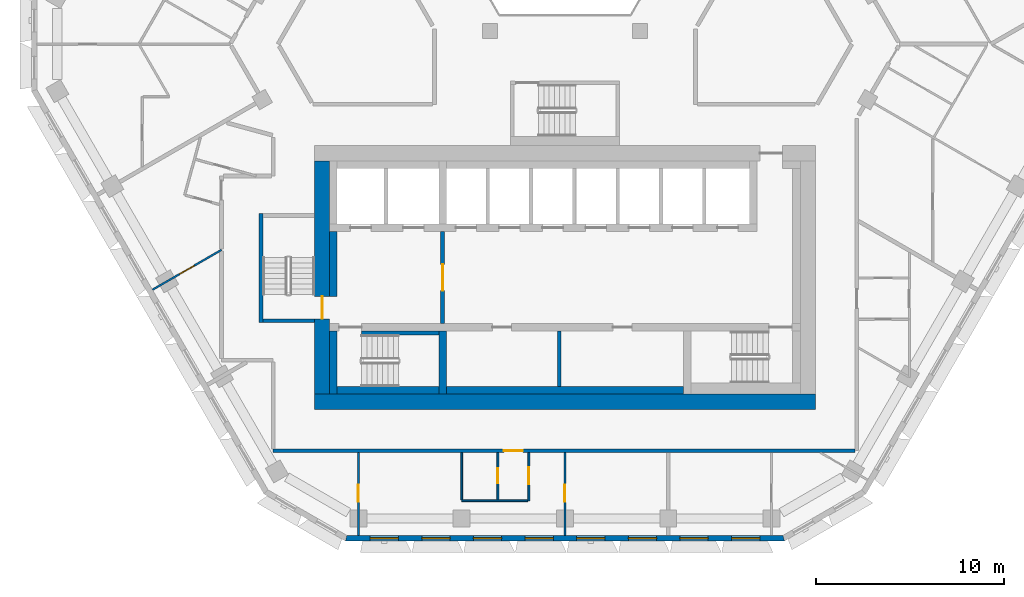
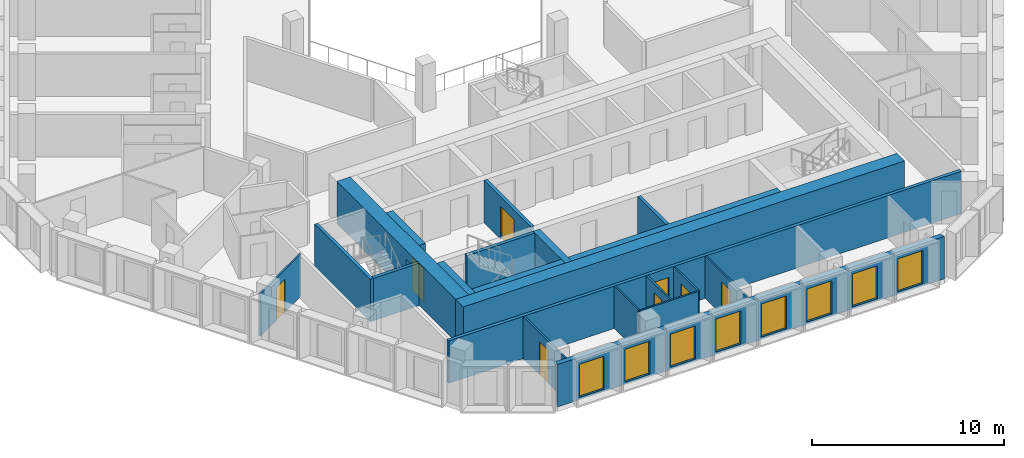
# One storey, part 3 of 17: 21 walls, 8 doors, 8 windows, 16 openings.
"""IFC4 building model written with IfcOpenShell, lengths in metres."""

from ifc_helpers import new_model, si_unit, direction, frame, frame_2d, origin, place, context, subcontext, project, spatial, polyline, rectangle, outline, extrude, material, layer, layer_set, type_object, element, fill, save


model = new_model("IFC4")

# Units and contexts
model_context = context("Model", 3, precision=1e-05, world=origin(), true_north=direction((0.0, 1.0)))
body_context = subcontext(model_context, "Body", "Model", "MODEL_VIEW")
ifc_project = project(units=[si_unit("LENGTHUNIT", "METRE"), si_unit("AREAUNIT", "SQUARE_METRE"), si_unit("VOLUMEUNIT", "CUBIC_METRE"), si_unit("PLANEANGLEUNIT", "RADIAN"), si_unit("MASSUNIT", "GRAM", prefix="KILO")], contexts=[model_context])

# Site, building, storey
site_placement = place(None, origin())
site = spatial("IfcSite", under=ifc_project, at=site_placement, CompositionType="ELEMENT")
building_placement = place(site_placement, origin())
building = spatial("IfcBuilding", under=site, at=building_placement, Name="Beryl Residences", CompositionType="ELEMENT")
storey_placement = place(building_placement, frame((0.0, 0.0, 120.60009765625)))
storey = spatial("IfcBuildingStorey", under=building, at=storey_placement, Name="L36", CompositionType="ELEMENT", Elevation=120.60009765625)

# Wall, openings, windows
ifc_material_1 = material(Name="Composite metal panel with mineral wool insulation")
ifc_layer_1 = layer(ifc_material_1, 0.300048828125)
ifc_layer_set_1 = layer_set([ifc_layer_1], Name="ES1 pale metal composite panel wall 300 mm")
wall_type_1 = type_object("IfcWallType", Name="ES1 pale metal composite panel wall 300 mm", PredefinedType="SOLIDWALL", material=ifc_layer_set_1)
wall_1_placement = place(storey_placement, frame((-11.662109375, -25.85009765625, 0.0), z_axis=(0.0, 0.0, 1.0), x_axis=(1.0, 0.0, 0.0)))
wall_1 = element("IfcWall", 1, at=wall_1_placement, inside=storey, type_object=wall_type_1, Name="ES1 external wall L36 S", PredefinedType="SOLIDWALL", context=body_context, shape_type="SweptSolid", body=[
    extrude(outline(polyline([(0.0, -0.14990234375), (23.32421875, -0.14990234375), (23.243896484375, 0.14990234375), (0.080322265625, 0.14990234375), (0.0, -0.14990234375)])), origin(), (0.0, 0.0, 1.0), 2.699951171875),
])
opening_1_placement = place(wall_1_placement, frame((1.31396484375, 0.0, 0.14990234375)))
opening_1 = element("IfcOpeningElement", 2, at=opening_1_placement, cuts=wall_1, Name="Opening W1", PredefinedType="OPENING", context=body_context, shape_type="SweptSolid", body=[
    extrude(rectangle(XDim=1.5, YDim=2.10009765625, at=frame_2d((0.75, 1.050048828125))), frame((0.0, 0.159912109375, 0.0), z_axis=(0.0, -1.0, 0.0), x_axis=(1.0, 0.0, 0.0)), (0.0, 0.0, 1.0), 0.320068359375),
])
opening_2_placement = place(wall_1_placement, frame((4.056884765625, 0.0, 0.14990234375)))
opening_2 = element("IfcOpeningElement", 3, at=opening_2_placement, cuts=wall_1, Name="Opening W1", PredefinedType="OPENING", context=body_context, shape_type="SweptSolid", body=[
    extrude(rectangle(XDim=1.5, YDim=2.10009765625, at=frame_2d((0.75, 1.050048828125))), frame((0.0, 0.159912109375, 0.0), z_axis=(0.0, -1.0, 0.0), x_axis=(1.0, 0.0, 0.0)), (0.0, 0.0, 1.0), 0.320068359375),
])
opening_3_placement = place(wall_1_placement, frame((6.799072265625, 0.0, 0.14990234375)))
opening_3 = element("IfcOpeningElement", 4, at=opening_3_placement, cuts=wall_1, Name="Opening W1", PredefinedType="OPENING", context=body_context, shape_type="SweptSolid", body=[
    extrude(rectangle(XDim=1.5, YDim=2.10009765625, at=frame_2d((0.75, 1.050048828125))), frame((0.0, 0.159912109375, 0.0), z_axis=(0.0, -1.0, 0.0), x_axis=(1.0, 0.0, 0.0)), (0.0, 0.0, 1.0), 0.320068359375),
])
opening_4_placement = place(wall_1_placement, frame((9.5419921875, 0.0, 0.14990234375)))
opening_4 = element("IfcOpeningElement", 5, at=opening_4_placement, cuts=wall_1, Name="Opening W1", PredefinedType="OPENING", context=body_context, shape_type="SweptSolid", body=[
    extrude(rectangle(XDim=1.5, YDim=2.10009765625, at=frame_2d((0.75, 1.050048828125))), frame((0.0, 0.159912109375, 0.0), z_axis=(0.0, -1.0, 0.0), x_axis=(1.0, 0.0, 0.0)), (0.0, 0.0, 1.0), 0.320068359375),
])
opening_5_placement = place(wall_1_placement, frame((12.283935546875, 0.0, 0.14990234375)))
opening_5 = element("IfcOpeningElement", 6, at=opening_5_placement, cuts=wall_1, Name="Opening W1", PredefinedType="OPENING", context=body_context, shape_type="SweptSolid", body=[
    extrude(rectangle(XDim=1.5, YDim=2.10009765625, at=frame_2d((0.75, 1.050048828125))), frame((0.0, 0.159912109375, 0.0), z_axis=(0.0, -1.0, 0.0), x_axis=(1.0, 0.0, 0.0)), (0.0, 0.0, 1.0), 0.320068359375),
])
opening_6_placement = place(wall_1_placement, frame((15.027099609375, 0.0, 0.14990234375)))
opening_6 = element("IfcOpeningElement", 7, at=opening_6_placement, cuts=wall_1, Name="Opening W1", PredefinedType="OPENING", context=body_context, shape_type="SweptSolid", body=[
    extrude(rectangle(XDim=1.5, YDim=2.10009765625, at=frame_2d((0.75, 1.050048828125))), frame((0.0, 0.159912109375, 0.0), z_axis=(0.0, -1.0, 0.0), x_axis=(1.0, 0.0, 0.0)), (0.0, 0.0, 1.0), 0.320068359375),
])
opening_7_placement = place(wall_1_placement, frame((17.76904296875, 0.0, 0.14990234375)))
opening_7 = element("IfcOpeningElement", 8, at=opening_7_placement, cuts=wall_1, Name="Opening W1", PredefinedType="OPENING", context=body_context, shape_type="SweptSolid", body=[
    extrude(rectangle(XDim=1.5, YDim=2.10009765625, at=frame_2d((0.75, 1.050048828125))), frame((0.0, 0.159912109375, 0.0), z_axis=(0.0, -1.0, 0.0), x_axis=(1.0, 0.0, 0.0)), (0.0, 0.0, 1.0), 0.320068359375),
])
opening_8_placement = place(wall_1_placement, frame((20.511962890625, 0.0, 0.14990234375)))
opening_8 = element("IfcOpeningElement", 9, at=opening_8_placement, cuts=wall_1, Name="Opening W1", PredefinedType="OPENING", context=body_context, shape_type="SweptSolid", body=[
    extrude(rectangle(XDim=1.5, YDim=2.10009765625, at=frame_2d((0.75, 1.050048828125))), frame((0.0, 0.159912109375, 0.0), z_axis=(0.0, -1.0, 0.0), x_axis=(1.0, 0.0, 0.0)), (0.0, 0.0, 1.0), 0.320068359375),
])
ifc_material_2 = material(Name="Aluminium and clear glass", Category="aluminium")
window_type = type_object("IfcWindowType", Name="W1 cell window 1500 x 2100 mm", PartitioningType="SINGLE_PANEL", PredefinedType="WINDOW", material=ifc_material_2)
window_1_placement = place(opening_1_placement, origin())
window_1 = element("IfcWindow", 10, at=window_1_placement, inside=storey, type_object=window_type, Name="W1 window L36 S 1", OverallHeight=2.10009765625, OverallWidth=1.5, PartitioningType="SINGLE_PANEL", PredefinedType="WINDOW", context=body_context, shape_type="SweptSolid", body=[
    extrude(rectangle(XDim=1.5, YDim=2.10009765625, at=frame_2d((0.75, 1.050048828125))), frame((0.0, 0.030029296875, 0.0), z_axis=(0.0, -1.0, 0.0), x_axis=(1.0, 0.0, 0.0)), (0.0, 0.0, 1.0), 0.06005859375),
])
fill(opening_1, window_1)
window_2_placement = place(opening_2_placement, origin())
window_2 = element("IfcWindow", 11, at=window_2_placement, inside=storey, type_object=window_type, Name="W1 window L36 S 2", OverallHeight=2.10009765625, OverallWidth=1.5, PartitioningType="SINGLE_PANEL", PredefinedType="WINDOW", context=body_context, shape_type="SweptSolid", body=[
    extrude(rectangle(XDim=1.5, YDim=2.10009765625, at=frame_2d((0.75, 1.050048828125))), frame((0.0, 0.030029296875, 0.0), z_axis=(0.0, -1.0, 0.0), x_axis=(1.0, 0.0, 0.0)), (0.0, 0.0, 1.0), 0.06005859375),
])
fill(opening_2, window_2)
window_3_placement = place(opening_3_placement, origin())
window_3 = element("IfcWindow", 12, at=window_3_placement, inside=storey, type_object=window_type, Name="W1 window L36 S 3", OverallHeight=2.10009765625, OverallWidth=1.5, PartitioningType="SINGLE_PANEL", PredefinedType="WINDOW", context=body_context, shape_type="SweptSolid", body=[
    extrude(rectangle(XDim=1.5, YDim=2.10009765625, at=frame_2d((0.75, 1.050048828125))), frame((0.0, 0.030029296875, 0.0), z_axis=(0.0, -1.0, 0.0), x_axis=(1.0, 0.0, 0.0)), (0.0, 0.0, 1.0), 0.06005859375),
])
fill(opening_3, window_3)
window_4_placement = place(opening_4_placement, origin())
window_4 = element("IfcWindow", 13, at=window_4_placement, inside=storey, type_object=window_type, Name="W1 window L36 S 4", OverallHeight=2.10009765625, OverallWidth=1.5, PartitioningType="SINGLE_PANEL", PredefinedType="WINDOW", context=body_context, shape_type="SweptSolid", body=[
    extrude(rectangle(XDim=1.5, YDim=2.10009765625, at=frame_2d((0.75, 1.050048828125))), frame((0.0, 0.030029296875, 0.0), z_axis=(0.0, -1.0, 0.0), x_axis=(1.0, 0.0, 0.0)), (0.0, 0.0, 1.0), 0.06005859375),
])
fill(opening_4, window_4)
window_5_placement = place(opening_5_placement, origin())
window_5 = element("IfcWindow", 14, at=window_5_placement, inside=storey, type_object=window_type, Name="W1 window L36 S 5", OverallHeight=2.10009765625, OverallWidth=1.5, PartitioningType="SINGLE_PANEL", PredefinedType="WINDOW", context=body_context, shape_type="SweptSolid", body=[
    extrude(rectangle(XDim=1.5, YDim=2.10009765625, at=frame_2d((0.75, 1.050048828125))), frame((0.0, 0.030029296875, 0.0), z_axis=(0.0, -1.0, 0.0), x_axis=(1.0, 0.0, 0.0)), (0.0, 0.0, 1.0), 0.06005859375),
])
fill(opening_5, window_5)
window_6_placement = place(opening_6_placement, origin())
window_6 = element("IfcWindow", 15, at=window_6_placement, inside=storey, type_object=window_type, Name="W1 window L36 S 6", OverallHeight=2.10009765625, OverallWidth=1.5, PartitioningType="SINGLE_PANEL", PredefinedType="WINDOW", context=body_context, shape_type="SweptSolid", body=[
    extrude(rectangle(XDim=1.5, YDim=2.10009765625, at=frame_2d((0.75, 1.050048828125))), frame((0.0, 0.030029296875, 0.0), z_axis=(0.0, -1.0, 0.0), x_axis=(1.0, 0.0, 0.0)), (0.0, 0.0, 1.0), 0.06005859375),
])
fill(opening_6, window_6)
window_7_placement = place(opening_7_placement, origin())
window_7 = element("IfcWindow", 16, at=window_7_placement, inside=storey, type_object=window_type, Name="W1 window L36 S 7", OverallHeight=2.10009765625, OverallWidth=1.5, PartitioningType="SINGLE_PANEL", PredefinedType="WINDOW", context=body_context, shape_type="SweptSolid", body=[
    extrude(rectangle(XDim=1.5, YDim=2.10009765625, at=frame_2d((0.75, 1.050048828125))), frame((0.0, 0.030029296875, 0.0), z_axis=(0.0, -1.0, 0.0), x_axis=(1.0, 0.0, 0.0)), (0.0, 0.0, 1.0), 0.06005859375),
])
fill(opening_7, window_7)
window_8_placement = place(opening_8_placement, origin())
window_8 = element("IfcWindow", 17, at=window_8_placement, inside=storey, type_object=window_type, Name="W1 window L36 S 8", OverallHeight=2.10009765625, OverallWidth=1.5, PartitioningType="SINGLE_PANEL", PredefinedType="WINDOW", context=body_context, shape_type="SweptSolid", body=[
    extrude(rectangle(XDim=1.5, YDim=2.10009765625, at=frame_2d((0.75, 1.050048828125))), frame((0.0, 0.030029296875, 0.0), z_axis=(0.0, -1.0, 0.0), x_axis=(1.0, 0.0, 0.0)), (0.0, 0.0, 1.0), 0.06005859375),
])
fill(opening_8, window_8)

# Wall
ifc_material_3 = material(Name="Gypsum board partition on steel studs", Category="steel")
ifc_layer_2 = layer(ifc_material_3, 0.10009765625)
ifc_layer_set_2 = layer_set([ifc_layer_2], Name="PT1 partition 100 mm gypsum board on steel studs")
wall_type_2 = type_object("IfcWallType", Name="PT1 partition 100 mm gypsum board on steel studs", PredefinedType="PARTITIONING", material=ifc_layer_set_2)
wall_2_placement = place(storey_placement, frame((-5.48388671875, -21.300048828125, 0.0), z_axis=(0.0, 0.0, 1.0), x_axis=(0.0, -1.0, 0.0)))
element("IfcWall", 18, at=wall_2_placement, inside=storey, type_object=wall_type_2, Name="Wall PT1 L36 006", PredefinedType="PARTITIONING", context=body_context, shape_type="SweptSolid", body=[
    extrude(rectangle(XDim=2.509033203125, YDim=0.10009765625, at=frame_2d((1.25439453125, 0.0))), origin(), (0.0, 0.0, 1.0), 2.699951171875),
])

# Wall, opening, door
wall_3_placement = place(storey_placement, frame((0.0009765625, -21.300048828125, 0.0), z_axis=(0.0, 0.0, 1.0), x_axis=(0.0, -1.0, 0.0)))
wall_3 = element("IfcWall", 19, at=wall_3_placement, inside=storey, type_object=wall_type_2, Name="Wall PT1 L36 007", PredefinedType="PARTITIONING", context=body_context, shape_type="SweptSolid", body=[
    extrude(rectangle(XDim=4.39990234375, YDim=0.10009765625, at=frame_2d((2.199951171875, 0.0))), origin(), (0.0, 0.0, 1.0), 2.699951171875),
])
opening_9_placement = place(wall_3_placement, frame((1.699951171875, 0.0, 0.0)))
opening_9 = element("IfcOpeningElement", 20, at=opening_9_placement, cuts=wall_3, Name="Opening D1035", PredefinedType="OPENING", context=body_context, shape_type="SweptSolid", body=[
    extrude(rectangle(XDim=0.89990234375, YDim=2.10009765625, at=frame_2d((0.449951171875, 1.050048828125))), frame((0.0, 0.06005859375, 0.0), z_axis=(0.0, -1.0, 0.0), x_axis=(1.0, 0.0, 0.0)), (0.0, 0.0, 1.0), 0.1201171875),
])
ifc_material_4 = material(Name="Timber door leaf", Category="wood")
door_type_1 = type_object("IfcDoorType", Name="D2 room door 900 x 2100 mm", OperationType="SINGLE_SWING_LEFT", PredefinedType="DOOR", material=ifc_material_4)
door_1_placement = place(opening_9_placement, origin())
door_1 = element("IfcDoor", 21, at=door_1_placement, inside=storey, type_object=door_type_1, Name="Door D1035 L36 001", OperationType="SINGLE_SWING_LEFT", OverallHeight=2.10009765625, OverallWidth=0.89990234375, PredefinedType="DOOR", context=body_context, shape_type="SweptSolid", body=[
    extrude(rectangle(XDim=0.89990234375, YDim=2.10009765625, at=frame_2d((0.449951171875, 1.050048828125))), frame((0.0, 0.02490234375, 0.0), z_axis=(0.0, -1.0, 0.0), x_axis=(1.0, 0.0, 0.0)), (0.0, 0.0, 1.0), 0.050048828125),
])
fill(opening_9, door_1)

# Wall
wall_4_placement = place(storey_placement, frame((-5.48291015625, -23.860107421875, 0.0), z_axis=(0.0, 0.0, 1.0), x_axis=(1.0, 0.0, 0.0)))
element("IfcWall", 22, at=wall_4_placement, inside=storey, type_object=wall_type_2, Name="Wall PT1 L36 024", PredefinedType="PARTITIONING", context=body_context, shape_type="SweptSolid", body=[
    extrude(rectangle(XDim=3.512939453125, YDim=0.10009765625, at=frame_2d((1.75634765625, 0.0))), origin(), (0.0, 0.0, 1.0), 2.699951171875),
])

# Wall, opening, door
wall_5_placement = place(storey_placement, frame((-3.56396484375, -23.81005859375, 0.0), z_axis=(0.0, 0.0, 1.0), x_axis=(0.0, 1.0, 0.0)))
wall_5 = element("IfcWall", 23, at=wall_5_placement, inside=storey, type_object=wall_type_2, Name="Wall PT1 L36 045", PredefinedType="PARTITIONING", context=body_context, shape_type="SweptSolid", body=[
    extrude(rectangle(XDim=2.510009765625, YDim=0.10009765625, at=frame_2d((1.2548828125, 0.0))), origin(), (0.0, 0.0, 1.0), 2.699951171875),
])
opening_10_placement = place(wall_5_placement, frame((0.8798828125, 0.0, 0.0)))
opening_10 = element("IfcOpeningElement", 24, at=opening_10_placement, cuts=wall_5, Name="Opening D1033", PredefinedType="OPENING", context=body_context, shape_type="SweptSolid", body=[
    extrude(rectangle(XDim=0.800048828125, YDim=2.10009765625, at=frame_2d((0.39990234375, 1.050048828125))), frame((0.0, 0.06005859375, 0.0), z_axis=(0.0, -1.0, 0.0), x_axis=(1.0, 0.0, 0.0)), (0.0, 0.0, 1.0), 0.1201171875),
])
ifc_material_5 = material(Name="Timber door leaf", Category="wood")
door_type_2 = type_object("IfcDoorType", Name="D3 bathroom door 800 x 2100 mm", OperationType="SINGLE_SWING_LEFT", PredefinedType="DOOR", material=ifc_material_5)
door_2_placement = place(opening_10_placement, origin())
door_2 = element("IfcDoor", 25, at=door_2_placement, inside=storey, type_object=door_type_2, Name="Door D1033 L36 001", OperationType="SINGLE_SWING_LEFT", OverallHeight=2.10009765625, OverallWidth=0.800048828125, PredefinedType="DOOR", context=body_context, shape_type="SweptSolid", body=[
    extrude(rectangle(XDim=0.800048828125, YDim=2.10009765625, at=frame_2d((0.39990234375, 1.050048828125))), frame((0.0, 0.02490234375, 0.0), z_axis=(0.0, -1.0, 0.0), x_axis=(1.0, 0.0, 0.0)), (0.0, 0.0, 1.0), 0.050048828125),
])
fill(opening_10, door_2)

wall_6_placement = place(storey_placement, frame((-10.968994140625, -25.699951171875, 0.0), z_axis=(0.0, 0.0, 1.0), x_axis=(0.0, 1.0, 0.0)))
wall_6 = element("IfcWall", 26, at=wall_6_placement, inside=storey, type_object=wall_type_2, Name="Wall PT1 L36 047", PredefinedType="PARTITIONING", context=body_context, shape_type="SweptSolid", body=[
    extrude(rectangle(XDim=4.39990234375, YDim=0.10009765625, at=frame_2d((2.199951171875, 0.0))), origin(), (0.0, 0.0, 1.0), 2.699951171875),
])
opening_11_placement = place(wall_6_placement, frame((1.800048828125, 0.0, 0.0)))
opening_11 = element("IfcOpeningElement", 27, at=opening_11_placement, cuts=wall_6, Name="Opening D1034", PredefinedType="OPENING", context=body_context, shape_type="SweptSolid", body=[
    extrude(rectangle(XDim=0.89990234375, YDim=2.10009765625, at=frame_2d((0.449951171875, 1.050048828125))), frame((0.0, 0.06005859375, 0.0), z_axis=(0.0, -1.0, 0.0), x_axis=(1.0, 0.0, 0.0)), (0.0, 0.0, 1.0), 0.1201171875),
])
door_3_placement = place(opening_11_placement, origin())
door_3 = element("IfcDoor", 28, at=door_3_placement, inside=storey, type_object=door_type_1, Name="Door D1034 L36 001", OperationType="SINGLE_SWING_RIGHT", OverallHeight=2.10009765625, OverallWidth=0.89990234375, PredefinedType="DOOR", context=body_context, shape_type="SweptSolid", body=[
    extrude(rectangle(XDim=0.89990234375, YDim=2.10009765625, at=frame_2d((0.449951171875, 1.050048828125))), frame((0.0, 0.02490234375, 0.0), z_axis=(0.0, -1.0, 0.0), x_axis=(1.0, 0.0, 0.0)), (0.0, 0.0, 1.0), 0.050048828125),
])
fill(opening_11, door_3)

wall_7_placement = place(storey_placement, frame((-1.9189453125, -23.85888671875, 0.0), z_axis=(0.0, 0.0, 1.0), x_axis=(0.0, 1.0, 0.0)))
wall_7 = element("IfcWall", 29, at=wall_7_placement, inside=storey, type_object=wall_type_2, Name="Wall PT1 L36 048", PredefinedType="PARTITIONING", context=body_context, shape_type="SweptSolid", body=[
    extrude(rectangle(XDim=2.558837890625, YDim=0.10009765625, at=frame_2d((1.279296875, 0.0))), origin(), (0.0, 0.0, 1.0), 2.699951171875),
])
opening_12_placement = place(wall_7_placement, frame((0.87890625, 0.0, 0.0)))
opening_12 = element("IfcOpeningElement", 30, at=opening_12_placement, cuts=wall_7, Name="Opening D1032", PredefinedType="OPENING", context=body_context, shape_type="SweptSolid", body=[
    extrude(rectangle(XDim=0.89990234375, YDim=2.10009765625, at=frame_2d((0.449951171875, 1.050048828125))), frame((0.0, 0.06005859375, 0.0), z_axis=(0.0, -1.0, 0.0), x_axis=(1.0, 0.0, 0.0)), (0.0, 0.0, 1.0), 0.1201171875),
])
door_4_placement = place(opening_12_placement, origin())
door_4 = element("IfcDoor", 31, at=door_4_placement, inside=storey, type_object=door_type_1, Name="Door D1032 L36 001", OperationType="SINGLE_SWING_RIGHT", OverallHeight=2.10009765625, OverallWidth=0.89990234375, PredefinedType="DOOR", context=body_context, shape_type="SweptSolid", body=[
    extrude(rectangle(XDim=0.89990234375, YDim=2.10009765625, at=frame_2d((0.449951171875, 1.050048828125))), frame((0.0, 0.02490234375, 0.0), z_axis=(0.0, -1.0, 0.0), x_axis=(1.0, 0.0, 0.0)), (0.0, 0.0, 1.0), 0.050048828125),
])
fill(opening_12, door_4)

wall_8_placement = place(storey_placement, frame((-21.910888671875, -12.64892578125, 0.0), z_axis=(0.0, 0.0, 1.0), x_axis=(0.865984571374, 0.500070717141, 0.0)))
wall_8 = element("IfcWall", 32, at=wall_8_placement, inside=storey, type_object=wall_type_2, Name="Wall PT1 L36 051", PredefinedType="PARTITIONING", context=body_context, shape_type="SweptSolid", body=[
    extrude(rectangle(XDim=4.2275390625, YDim=0.10009765625, at=frame_2d((2.11376953125, 0.0))), origin(), (0.0, 0.0, 1.0), 2.699951171875),
])
opening_13_placement = place(wall_8_placement, frame((1.6630859375, 0.0, 0.0)))
opening_13 = element("IfcOpeningElement", 33, at=opening_13_placement, cuts=wall_8, Name="Opening D1030", PredefinedType="OPENING", context=body_context, shape_type="SweptSolid", body=[
    extrude(rectangle(XDim=0.89990234375, YDim=2.10009765625, at=frame_2d((0.449951171875, 1.050048828125))), frame((0.0, 0.06005859375, 0.0), z_axis=(0.0, -1.0, 0.0), x_axis=(1.0, 0.0, 0.0)), (0.0, 0.0, 1.0), 0.1201171875),
])
door_5_placement = place(opening_13_placement, origin())
door_5 = element("IfcDoor", 34, at=door_5_placement, inside=storey, type_object=door_type_1, Name="Door D1030 L36 001", OperationType="SINGLE_SWING_RIGHT", OverallHeight=2.10009765625, OverallWidth=0.89990234375, PredefinedType="DOOR", context=body_context, shape_type="SweptSolid", body=[
    extrude(rectangle(XDim=0.89990234375, YDim=2.10009765625, at=frame_2d((0.449951171875, 1.050048828125))), frame((0.0, 0.02490234375, 0.0), z_axis=(0.0, -1.0, 0.0), x_axis=(1.0, 0.0, 0.0)), (0.0, 0.0, 1.0), 0.050048828125),
])
fill(opening_13, door_5)

ifc_material_6 = material(Name="Concrete masonry", Category="masonry")
ifc_layer_3 = layer(ifc_material_6, 0.199951171875)
ifc_layer_set_3 = layer_set([ifc_layer_3], Name="PT13 lobby wall 200 mm")
wall_type_3 = type_object("IfcWallType", Name="PT13 lobby wall 200 mm", PredefinedType="PARTITIONING", material=ifc_layer_set_3)
wall_9_placement = place(storey_placement, frame((-6.5, -14.449951171875, 0.0), z_axis=(0.0, 0.0, 1.0), x_axis=(0.0, 1.0, 0.0)))
wall_9 = element("IfcWall", 35, at=wall_9_placement, inside=storey, type_object=wall_type_3, Name="Lobby wall 11", PredefinedType="PARTITIONING", context=body_context, shape_type="SweptSolid", body=[
    extrude(rectangle(XDim=4.89990234375, YDim=0.199951171875, at=frame_2d((2.449951171875, 0.0))), origin(), (0.0, 0.0, 1.0), 2.699951171875),
])
opening_14_placement = place(wall_9_placement, frame((3.14990234375, 0.0, 0.0), z_axis=(0.0, 0.0, 1.0), x_axis=(-1.0, 0.0, 0.0)))
opening_14 = element("IfcOpeningElement", 36, at=opening_14_placement, cuts=wall_9, Name="Opening FD-FFL", PredefinedType="OPENING", context=body_context, shape_type="SweptSolid", body=[
    extrude(rectangle(XDim=1.39990234375, YDim=2.10009765625, at=frame_2d((0.699951171875, 1.050048828125))), frame((0.0, 0.10986328125, 0.0), z_axis=(0.0, -1.0, 0.0), x_axis=(1.0, 0.0, 0.0)), (0.0, 0.0, 1.0), 0.219970703125),
])
ifc_material_7 = material(Name="Steel door leaf in steel frame", Category="steel")
door_type_3 = type_object("IfcDoorType", Name="D5 lobby door 1400 x 2100 mm", OperationType="DOUBLE_DOOR_SINGLE_SWING", PredefinedType="DOOR", material=ifc_material_7)
door_6_placement = place(opening_14_placement, origin())
door_6 = element("IfcDoor", 37, at=door_6_placement, inside=storey, type_object=door_type_3, Name="Door FD-FFL L36 001", OperationType="DOUBLE_DOOR_SINGLE_SWING", OverallHeight=2.10009765625, OverallWidth=1.39990234375, PredefinedType="DOOR", context=body_context, shape_type="SweptSolid", body=[
    extrude(rectangle(XDim=1.39990234375, YDim=2.10009765625, at=frame_2d((0.699951171875, 1.050048828125))), frame((0.0, 0.02490234375, 0.0), z_axis=(0.0, -1.0, 0.0), x_axis=(1.0, 0.0, 0.0)), (0.0, 0.0, 1.0), 0.050048828125),
])
fill(opening_14, door_6)

# Wall
ifc_material_8 = material(Name="Concrete masonry", Category="masonry")
ifc_layer_4 = layer(ifc_material_8, 0.39990234375)
ifc_layer_set_4 = layer_set([ifc_layer_4], Name="PT13-400 lobby wall 400 mm")
wall_type_4 = type_object("IfcWallType", Name="PT13-400 lobby wall 400 mm", PredefinedType="PARTITIONING", material=ifc_layer_set_4)
wall_10_placement = place(storey_placement, frame((-12.300048828125, -13.0, 0.0), z_axis=(0.0, 0.0, 1.0), x_axis=(0.0, 1.0, 0.0)))
element("IfcWall", 38, at=wall_10_placement, inside=storey, type_object=wall_type_4, Name="Lobby wall 05", PredefinedType="PARTITIONING", context=body_context, shape_type="SweptSolid", body=[
    extrude(rectangle(XDim=3.449951171875, YDim=0.39990234375, at=frame_2d((1.72509765625, 0.0))), origin(), (0.0, 0.0, 1.0), 2.699951171875),
])

# Wall, opening, door
ifc_material_9 = material(Name="Double stud gypsum board wall")
ifc_layer_5 = layer(ifc_material_9, 0.199951171875)
ifc_layer_set_5 = layer_set([ifc_layer_5], Name="PT4 corridor wall 200 mm double stud")
wall_type_5 = type_object("IfcWallType", Name="PT4 corridor wall 200 mm double stud", PredefinedType="PARTITIONING", material=ifc_layer_set_5)
wall_11_placement = place(storey_placement, frame((-15.4990234375, -21.199951171875, 0.0), z_axis=(0.0, 0.0, 1.0), x_axis=(1.0, 0.0, 0.0)))
wall_11 = element("IfcWall", 39, at=wall_11_placement, inside=storey, type_object=wall_type_5, Name="Wall PT4 L36 011", PredefinedType="PARTITIONING", context=body_context, shape_type="SweptSolid", body=[
    extrude(rectangle(XDim=30.89892578125, YDim=0.199951171875, at=frame_2d((15.449462890625, 0.0))), origin(), (0.0, 0.0, 1.0), 2.699951171875),
])
opening_15_placement = place(wall_11_placement, frame((12.258056640625, 0.0, 0.0)))
opening_15 = element("IfcOpeningElement", 40, at=opening_15_placement, cuts=wall_11, Name="Opening D1031", PredefinedType="OPENING", context=body_context, shape_type="SweptSolid", body=[
    extrude(rectangle(XDim=1.0, YDim=2.10009765625, at=frame_2d((0.5, 1.050048828125))), frame((0.0, 0.10986328125, 0.0), z_axis=(0.0, -1.0, 0.0), x_axis=(1.0, 0.0, 0.0)), (0.0, 0.0, 1.0), 0.219970703125),
])
ifc_material_10 = material(Name="Timber door leaf", Category="wood")
door_type_4 = type_object("IfcDoorType", Name="D1 flat entrance door 1000 x 2100 mm", OperationType="SINGLE_SWING_LEFT", PredefinedType="DOOR", material=ifc_material_10)
door_7_placement = place(opening_15_placement, origin())
door_7 = element("IfcDoor", 41, at=door_7_placement, inside=storey, type_object=door_type_4, Name="Door D1031 L36 001", OperationType="SINGLE_SWING_LEFT", OverallHeight=2.10009765625, OverallWidth=1.0, PredefinedType="DOOR", context=body_context, shape_type="SweptSolid", body=[
    extrude(rectangle(XDim=1.0, YDim=2.10009765625, at=frame_2d((0.5, 1.050048828125))), frame((0.0, 0.02490234375, 0.0), z_axis=(0.0, -1.0, 0.0), x_axis=(1.0, 0.0, 0.0)), (0.0, 0.0, 1.0), 0.050048828125),
])
fill(opening_15, door_7)

# Walls
ifc_material_11 = material(Name="Concrete C40/50", Category="concrete")
ifc_layer_6 = layer(ifc_material_11, 0.199951171875)
ifc_layer_set_6 = layer_set([ifc_layer_6], Name="PT5 stair enclosure wall 200 mm reinforced concrete C40/50")
wall_type_6 = type_object("IfcWallType", Name="PT5 stair enclosure wall 200 mm reinforced concrete C40/50", PredefinedType="SOLIDWALL", material=ifc_layer_set_6)
wall_12_placement = place(storey_placement, frame((-16.14990234375, -14.39990234375, 0.0), z_axis=(0.0, 0.0, 1.0), x_axis=(0.0, 1.0, 0.0)))
element("IfcWall", 42, at=wall_12_placement, inside=storey, type_object=wall_type_6, Name="Stair wall 01", PredefinedType="SOLIDWALL", context=body_context, shape_type="SweptSolid", body=[
    extrude(rectangle(XDim=5.7998046875, YDim=0.199951171875, at=frame_2d((2.89990234375, 0.0))), origin(), (0.0, 0.0, 1.0), 2.699951171875),
])
wall_13_placement = place(storey_placement, frame((-16.050048828125, -14.300048828125, 0.0), z_axis=(0.0, 0.0, 1.0), x_axis=(1.0, 0.0, 0.0)))
element("IfcWall", 43, at=wall_13_placement, inside=storey, type_object=wall_type_6, Name="Stair wall 02", PredefinedType="SOLIDWALL", context=body_context, shape_type="SweptSolid", body=[
    extrude(rectangle(XDim=2.75, YDim=0.199951171875, at=frame_2d((1.375, 0.0))), origin(), (0.0, 0.0, 1.0), 2.699951171875),
])
wall_14_placement = place(storey_placement, frame((-10.800048828125, -14.949951171875, 0.0), z_axis=(0.0, 0.0, 1.0), x_axis=(1.0, 0.0, 0.0)))
element("IfcWall", 44, at=wall_14_placement, inside=storey, type_object=wall_type_6, Name="Stair wall 09", PredefinedType="SOLIDWALL", context=body_context, shape_type="SweptSolid", body=[
    extrude(rectangle(XDim=4.10009765625, YDim=0.199951171875, at=frame_2d((2.050048828125, 0.0))), origin(), (0.0, 0.0, 1.0), 2.699951171875),
])
ifc_material_12 = material(Name="Concrete C40/50", Category="concrete")
ifc_layer_7 = layer(ifc_material_12, 0.39990234375)
ifc_layer_set_7 = layer_set([ifc_layer_7], Name="PT5-400 stair enclosure wall 400 mm")
wall_type_7 = type_object("IfcWallType", Name="PT5-400 stair enclosure wall 400 mm", PredefinedType="SOLIDWALL", material=ifc_layer_set_7)
wall_15_placement = place(storey_placement, frame((-12.300048828125, -18.199951171875, 0.0), z_axis=(0.0, 0.0, 1.0), x_axis=(0.0, 1.0, 0.0)))
element("IfcWall", 45, at=wall_15_placement, inside=storey, type_object=wall_type_7, Name="Stair wall 04", PredefinedType="SOLIDWALL", context=body_context, shape_type="SweptSolid", body=[
    extrude(rectangle(XDim=3.349853515625, YDim=0.39990234375, at=frame_2d((1.6748046875, 0.0))), origin(), (0.0, 0.0, 1.0), 2.699951171875),
])
wall_16_placement = place(storey_placement, frame((-12.10009765625, -18.0, 0.0), z_axis=(0.0, 0.0, 1.0), x_axis=(1.0, 0.0, 0.0)))
element("IfcWall", 46, at=wall_16_placement, inside=storey, type_object=wall_type_7, Name="Stair wall 07", PredefinedType="SOLIDWALL", context=body_context, shape_type="SweptSolid", body=[
    extrude(rectangle(XDim=5.400146484375, YDim=0.39990234375, at=frame_2d((2.7001953125, 0.0))), origin(), (0.0, 0.0, 1.0), 2.699951171875),
])
ifc_material_13 = material(Name="Concrete masonry", Category="masonry")
ifc_layer_8 = layer(ifc_material_13, 0.199951171875)
ifc_layer_set_8 = layer_set([ifc_layer_8], Name="PT8-200 service room wall 200 mm")
wall_type_8 = type_object("IfcWallType", Name="PT8-200 service room wall 200 mm", PredefinedType="PARTITIONING", material=ifc_layer_set_8)
wall_17_placement = place(storey_placement, frame((-0.300048828125, -17.800048828125, 0.0), z_axis=(0.0, 0.0, 1.0), x_axis=(0.0, 1.0, 0.0)))
element("IfcWall", 47, at=wall_17_placement, inside=storey, type_object=wall_type_8, Name="Core room wall 16", PredefinedType="PARTITIONING", context=body_context, shape_type="SweptSolid", body=[
    extrude(rectangle(XDim=2.949951171875, YDim=0.199951171875, at=frame_2d((1.47509765625, 0.0))), origin(), (0.0, 0.0, 1.0), 2.699951171875),
])
ifc_material_14 = material(Name="Concrete masonry", Category="masonry")
ifc_layer_9 = layer(ifc_material_14, 0.39990234375)
ifc_layer_set_9 = layer_set([ifc_layer_9], Name="PT8-400 service room wall 400 mm")
wall_type_9 = type_object("IfcWallType", Name="PT8-400 service room wall 400 mm", PredefinedType="PARTITIONING", material=ifc_layer_set_9)
wall_18_placement = place(storey_placement, frame((-6.300048828125, -18.0, 0.0), z_axis=(0.0, 0.0, 1.0), x_axis=(1.0, 0.0, 0.0)))
element("IfcWall", 48, at=wall_18_placement, inside=storey, type_object=wall_type_9, Name="Core room wall 12", PredefinedType="PARTITIONING", context=body_context, shape_type="SweptSolid", body=[
    extrude(rectangle(XDim=12.60009765625, YDim=0.39990234375, at=frame_2d((6.300048828125, 0.0))), origin(), (0.0, 0.0, 1.0), 2.699951171875),
])
ifc_material_15 = material(Name="Concrete C60/75", Category="concrete")
ifc_layer_10 = layer(ifc_material_15, 0.800048828125)
ifc_layer_set_10 = layer_set([ifc_layer_10], Name="SW3 core outer wall 800 mm C60/75")
wall_type_10 = type_object("IfcWallType", Name="SW3 core outer wall 800 mm C60/75", PredefinedType="SHEAR", material=ifc_layer_set_10)
wall_19_placement = place(storey_placement, frame((-13.300048828125, -18.60009765625, 0.0), z_axis=(0.0, 0.0, 1.0), x_axis=(1.0, 0.0, 0.0)))
element("IfcWall", 49, at=wall_19_placement, inside=storey, type_object=wall_type_10, Name="Core wall S L36", PredefinedType="SHEAR", context=body_context, shape_type="SweptSolid", body=[
    extrude(rectangle(XDim=26.60009765625, YDim=0.800048828125, at=frame_2d((13.300048828125, 0.0))), origin(), (0.0, 0.0, 1.0), 2.699951171875),
])

# Wall, opening, door
wall_20_placement = place(storey_placement, frame((-12.89990234375, -18.199951171875, 0.0), z_axis=(0.0, 0.0, 1.0), x_axis=(0.0, 1.0, 0.0)))
wall_20 = element("IfcWall", 50, at=wall_20_placement, inside=storey, type_object=wall_type_10, Name="Core wall W L36", PredefinedType="SHEAR", context=body_context, shape_type="SweptSolid", body=[
    extrude(rectangle(XDim=12.39990234375, YDim=0.800048828125, at=frame_2d((6.199951171875, 0.0))), origin(), (0.0, 0.0, 1.0), 2.699951171875),
])
opening_16_placement = place(wall_20_placement, frame((4.0, 0.0, 0.0)))
opening_16 = element("IfcOpeningElement", 51, at=opening_16_placement, cuts=wall_20, Name="Opening SD-2", PredefinedType="OPENING", context=body_context, shape_type="SweptSolid", body=[
    extrude(rectangle(XDim=1.199951171875, YDim=2.10009765625, at=frame_2d((0.60009765625, 1.050048828125))), frame((0.0, 0.409912109375, 0.0), z_axis=(0.0, -1.0, 0.0), x_axis=(1.0, 0.0, 0.0)), (0.0, 0.0, 1.0), 0.820068359375),
])
ifc_material_16 = material(Name="Steel door leaf in steel frame", Category="steel")
door_type_5 = type_object("IfcDoorType", Name="D4 stair door 1200 x 2100 mm", OperationType="SINGLE_SWING_LEFT", PredefinedType="DOOR", material=ifc_material_16)
door_8_placement = place(opening_16_placement, origin())
door_8 = element("IfcDoor", 52, at=door_8_placement, inside=storey, type_object=door_type_5, Name="Door SD-2 L36 001", OperationType="SINGLE_SWING_RIGHT", OverallHeight=2.10009765625, OverallWidth=1.199951171875, PredefinedType="DOOR", context=body_context, shape_type="SweptSolid", body=[
    extrude(rectangle(XDim=1.199951171875, YDim=2.10009765625, at=frame_2d((0.60009765625, 1.050048828125))), frame((0.0, 0.02490234375, 0.0), z_axis=(0.0, -1.0, 0.0), x_axis=(1.0, 0.0, 0.0)), (0.0, 0.0, 1.0), 0.050048828125),
])
fill(opening_16, door_8)

# Wall
ifc_material_17 = material(Name="Concrete C60/75", Category="concrete")
ifc_layer_11 = layer(ifc_material_17, 0.39990234375)
ifc_layer_set_11 = layer_set([ifc_layer_11], Name="SW8 core internal wall 400 mm C60/75")
wall_type_11 = type_object("IfcWallType", Name="SW8 core internal wall 400 mm C60/75", PredefinedType="SHEAR", material=ifc_layer_set_11)
wall_21_placement = place(storey_placement, frame((-6.5, -18.199951171875, 0.0), z_axis=(0.0, 0.0, 1.0), x_axis=(0.0, 1.0, 0.0)))
element("IfcWall", 53, at=wall_21_placement, inside=storey, type_object=wall_type_11, Name="Core wall XS1 L36", PredefinedType="SHEAR", context=body_context, shape_type="SweptSolid", body=[
    extrude(rectangle(XDim=3.349853515625, YDim=0.39990234375, at=frame_2d((1.6748046875, 0.0))), origin(), (0.0, 0.0, 1.0), 2.699951171875),
])

save(model, "model.ifc")
